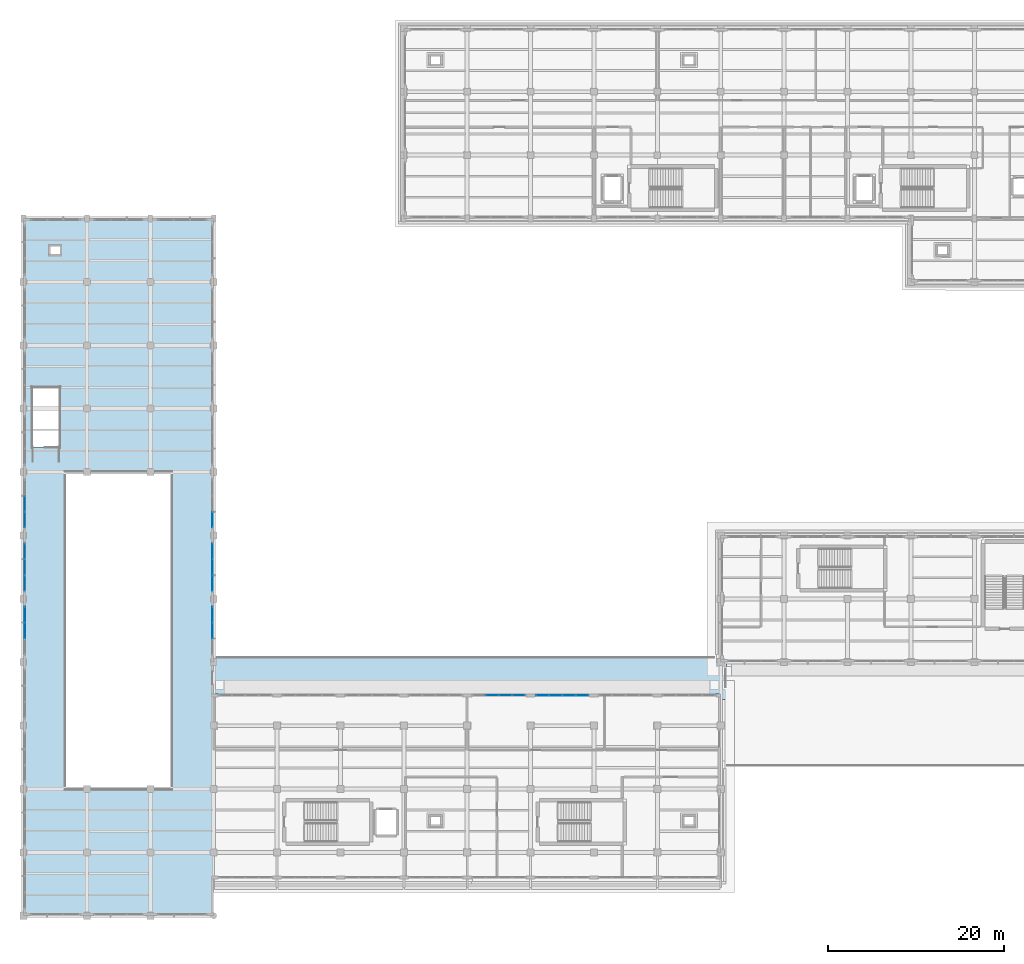
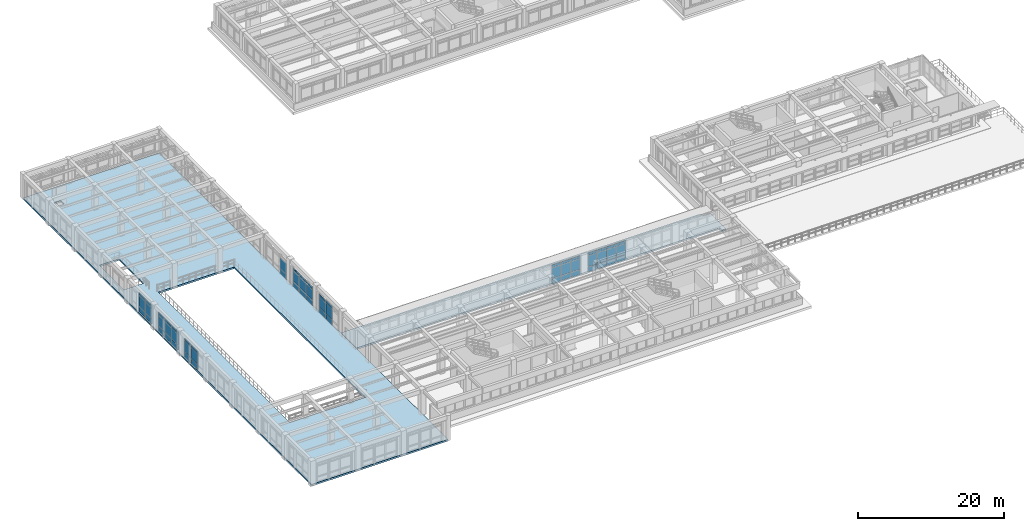
# One storey, part 36 of 67: 59 plates, 2 slabs, 8 elements without a shape of their own.
"""IFC4 building model written with IfcOpenShell, lengths in metres."""

import ifcopenshell
import ifcopenshell.guid

model = None  # the IFC model being written
_history = None  # IfcOwnerHistory: only IFC2X3 demands one
_inside = {}  # id of a spatial element -> (the spatial element, [elements in it])
_under = {}  # id of a project, library or spatial element -> (it, [spatial elements below it])
_declared = {}  # id of a project -> (the project, [libraries it declares])
_typed = {}  # id of a type object -> (the type object, [elements of that type])
_made_of = {}  # id of a material, layer set ... -> (it, [elements and type objects made of it])


def new_model(schema):
    """Start an empty IFC model of exactly this schema.

    Asked for "IFC4X3", IfcOpenShell would pick the latest addendum, in which some entities
    have other attributes; the version numbers below select the first issue.
    IFC2X3 requires an IfcOwnerHistory on every rooted entity: one is made here for all.
    """
    global model, _history
    if schema == "IFC4X3":
        model = ifcopenshell.file(schema_version=(4, 3, 0, 0))
    else:
        model = ifcopenshell.file(schema=schema)
    _inside.clear()
    _under.clear()
    _declared.clear()
    _typed.clear()
    _made_of.clear()
    _history = None
    if model.schema == "IFC2X3":
        org = make("IfcOrganization", Name="unknown")
        user = make(
            "IfcPersonAndOrganization",
            ThePerson=make("IfcPerson", FamilyName="unknown"),
            TheOrganization=org,
        )
        app = make(
            "IfcApplication",
            ApplicationDeveloper=org,
            Version="unknown",
            ApplicationFullName="unknown",
            ApplicationIdentifier="unknown",
        )
        _history = make(
            "IfcOwnerHistory",
            OwningUser=user,
            OwningApplication=app,
            ChangeAction="ADDED",
            CreationDate=0,
        )
    return model


def make(cls, **values):
    """One entity of the class cls with the attributes given. An attribute that is None is left unset."""
    return model.create_entity(
        cls, **{name: value for name, value in values.items() if value is not None}
    )


def rooted(cls, **values):
    """An entity with a GlobalId (a new one), such as an element, a storey or a relation."""
    return make(cls, GlobalId=ifcopenshell.guid.new(), OwnerHistory=_history, **values)


def si_unit(unit_type, name, prefix=None):
    """IfcSIUnit, for example si_unit("LENGTHUNIT", "METRE", prefix="MILLI")."""
    return make("IfcSIUnit", UnitType=unit_type, Prefix=prefix, Name=name)


def assignment(units):
    """IfcUnitAssignment: the units of a project."""
    return None if units is None else make("IfcUnitAssignment", Units=units)


def point(xyz):
    """IfcCartesianPoint."""
    return None if xyz is None else make("IfcCartesianPoint", Coordinates=xyz)


def direction(xyz):
    """IfcDirection."""
    return None if xyz is None else make("IfcDirection", DirectionRatios=xyz)


def frame(location, z_axis=None, x_axis=None):
    """IfcAxis2Placement3D, a coordinate frame: its origin and axes. An axis left out is left unset."""
    return make(
        "IfcAxis2Placement3D",
        Location=point(location),
        Axis=direction(z_axis),
        RefDirection=direction(x_axis),
    )


def frame_2d(location, x_axis=None):
    """IfcAxis2Placement2D, a coordinate frame in the plane: its origin and x axis."""
    return make(
        "IfcAxis2Placement2D", Location=point(location), RefDirection=direction(x_axis)
    )


def origin():
    """The frame at (0, 0, 0) with its axes left unset."""
    return frame((0.0, 0.0, 0.0))


def origin_2d():
    """The frame at (0, 0) in the plane with its x axis left unset."""
    return frame_2d((0.0, 0.0))


def place(relative_to, where):
    """IfcLocalPlacement: puts the frame where relative to a parent placement (None: the world)."""
    return make(
        "IfcLocalPlacement", PlacementRelTo=relative_to, RelativePlacement=where
    )


def context(
    kind, dimensions, precision=None, world=None, true_north=None, identifier=None
):
    """IfcGeometricRepresentationContext, for example the 3D "Model" context."""
    return make(
        "IfcGeometricRepresentationContext",
        ContextIdentifier=identifier,
        ContextType=kind,
        CoordinateSpaceDimension=dimensions,
        Precision=precision,
        WorldCoordinateSystem=world,
        TrueNorth=true_north,
    )


def subcontext(parent, identifier, kind, view, scale=None):
    """IfcGeometricRepresentationSubContext, for example "Body" below "Model"."""
    return make(
        "IfcGeometricRepresentationSubContext",
        ContextIdentifier=identifier,
        ContextType=kind,
        ParentContext=parent,
        TargetScale=scale,
        TargetView=view,
    )


def project(units=None, contexts=None):
    """IfcProject with its units and contexts."""
    return rooted(
        "IfcProject",
        Name="project",
        RepresentationContexts=contexts,
        UnitsInContext=assignment(units),
    )


def spatial(cls, under=None, at=None, **own):
    """A site, building, storey or space (cls), placed at a placement, below another one or the project."""
    s = rooted(cls, ObjectPlacement=at, **own)
    if under is not None:
        _under.setdefault(under.id(), (under, []))[1].append(s)
    return s


def polyline(points):
    """IfcPolyline through the points."""
    return make("IfcPolyline", Points=[point(p) for p in points])


def profile(cls, at=None, kind="AREA", **sizes):
    """A parametric profile (cls). Its sizes go by their IFC names, for example OverallWidth=200.0."""
    return make(cls, ProfileType=kind, Position=at, **sizes)


def rectangle(**sizes):
    """IfcRectangleProfileDef."""
    return profile("IfcRectangleProfileDef", **sizes)


def outline(outer, holes=None, kind="AREA"):
    """IfcArbitraryClosedProfileDef: a profile drawn as a closed curve; with holes, ...WithVoids."""
    if holes is None:
        return make("IfcArbitraryClosedProfileDef", ProfileType=kind, OuterCurve=outer)
    return make(
        "IfcArbitraryProfileDefWithVoids",
        ProfileType=kind,
        OuterCurve=outer,
        InnerCurves=holes,
    )


def extrude(swept, where, along, depth):
    """IfcExtrudedAreaSolid: the profile swept, set in the frame where, extruded along a direction by depth."""
    return make(
        "IfcExtrudedAreaSolid",
        SweptArea=swept,
        Position=where,
        ExtrudedDirection=direction(along),
        Depth=depth,
    )


def shape(context_of_items, identifier, shape_type, items):
    """IfcShapeRepresentation: the items that make up one representation, for example the "Body"."""
    return make(
        "IfcShapeRepresentation",
        ContextOfItems=context_of_items,
        RepresentationIdentifier=identifier,
        RepresentationType=shape_type,
        Items=items,
    )


def material(Name=None, Category=None):
    """IfcMaterial."""
    return make("IfcMaterial", Name=Name, Category=Category)


def layer(
    of_material, thickness, ventilated=None, Name=None, Category=None, Priority=None
):
    """IfcMaterialLayer: one layer of a wall or slab, of a material (None: an air gap)."""
    return make(
        "IfcMaterialLayer",
        Material=of_material,
        LayerThickness=thickness,
        IsVentilated=ventilated,
        Name=Name,
        Category=Category,
        Priority=Priority,
    )


def layer_set(layers, Name=None):
    """IfcMaterialLayerSet."""
    return make("IfcMaterialLayerSet", MaterialLayers=layers, LayerSetName=Name)


def made_of(thing, what):
    """Note that an element or type object is made of a material, layer set ...; save() writes the relation."""
    if what is not None:
        _made_of.setdefault(what.id(), (what, []))[1].append(thing)
    return thing


def type_object(cls, material=None, **own):
    """A type object (cls), such as IfcWallType, which elements share."""
    return made_of(rooted(cls, **own), material)


def element(
    cls,
    number,
    at=None,
    inside=None,
    cuts=None,
    type_object=None,
    material=None,
    context=None,
    identifier="Body",
    shape_type=None,
    held_by="IfcProductDefinitionShape",
    body=None,
    shapes=None,
    **own,
):
    """One element of the class cls, such as IfcWall. Its Tag is "e" and its number.

    at: its placement. inside: the storey or other place that contains it. cuts: it is an
    opening in that element (IfcRelVoidsElement). A single representation is given by context,
    identifier, shape_type and body (its items); several are given by shapes. held_by: the class
    of the entity that holds the representations. save() writes the other relations.
    """
    e = rooted(cls, Tag="e%d" % number, ObjectPlacement=at, **own)
    if body is not None:
        shapes = [shape(context, identifier, shape_type, body)]
    if shapes is not None:
        e.Representation = make(held_by, Representations=shapes)
    if inside is not None:
        _inside.setdefault(inside.id(), (inside, []))[1].append(e)
    if cuts is not None:
        rooted(
            "IfcRelVoidsElement", RelatingBuildingElement=cuts, RelatedOpeningElement=e
        )
    if type_object is not None:
        _typed.setdefault(type_object.id(), (type_object, []))[1].append(e)
    return made_of(e, material)


def aggregate(whole, parts):
    """IfcRelAggregates: a whole, such as a stair, and the parts it consists of."""
    return rooted("IfcRelAggregates", RelatingObject=whole, RelatedObjects=parts)


def save(model, path):
    """Write the relations noted so far, then the file.

    IfcRelAggregates (storeys below a building ...), IfcRelContainedInSpatialStructure (elements
    in a storey), IfcRelDefinesByType, IfcRelAssociatesMaterial and IfcRelDeclares: one each for
    every whole, place, type object, material and project.
    """
    for whole, parts in _under.values():
        aggregate(whole, parts)
    for where, things in _inside.values():
        rooted(
            "IfcRelContainedInSpatialStructure",
            RelatedElements=things,
            RelatingStructure=where,
        )
    for kind, things in _typed.values():
        rooted("IfcRelDefinesByType", RelatedObjects=things, RelatingType=kind)
    for what, things in _made_of.values():
        rooted("IfcRelAssociatesMaterial", RelatedObjects=things, RelatingMaterial=what)
    for by, libraries in _declared.values():
        rooted("IfcRelDeclares", RelatingContext=by, RelatedDefinitions=libraries)
    model.write(path)


model = new_model("IFC4")

# Units and contexts
model_context = context("Model", 3, precision=1e-05, world=origin(), true_north=direction((0.0, 1.0)))
body_context = subcontext(model_context, "Body", "Model", "MODEL_VIEW")
ifc_project = project(units=[si_unit("LENGTHUNIT", "METRE"), si_unit("AREAUNIT", "SQUARE_METRE"), si_unit("VOLUMEUNIT", "CUBIC_METRE"), si_unit("PLANEANGLEUNIT", "RADIAN"), si_unit("MASSUNIT", "GRAM", prefix="KILO")], contexts=[model_context])

# Site, building, storey
site_placement = place(None, origin())
site = spatial("IfcSite", under=ifc_project, at=site_placement, CompositionType="ELEMENT")
building_placement = place(site_placement, origin())
building = spatial("IfcBuilding", under=site, at=building_placement, Name="Solenvale Faculty of Natural Sciences", CompositionType="ELEMENT")
storey_placement = place(building_placement, frame((0.0, 0.0, 13.5)))
storey = spatial("IfcBuildingStorey", under=building, at=storey_placement, Name="L03", CompositionType="ELEMENT", Elevation=13.5)

# Curtain wall, plates
ifc_material_1 = material(Name="Anodised bronze aluminium", Category="aluminium")
ifc_layer_1 = layer(ifc_material_1, 0.215087890625)
ifc_layer_set_1 = layer_set([ifc_layer_1], Name="Anodised bronze aluminium")
curtain_wall_type_1 = type_object("IfcCurtainWallType", Name="CW-ATR-UNIT", PredefinedType="USERDEFINED", material=ifc_layer_set_1)
curtain_wall_1_placement = place(storey_placement, origin())
curtain_wall_1 = element("IfcCurtainWall", 1, at=curtain_wall_1_placement, inside=storey, type_object=curtain_wall_type_1, Name="L03 Curtain Wall CW-L03-P1-E1-B3", ObjectType="UNITISED CURTAIN WALL", PredefinedType="USERDEFINED")
ifc_material_2 = material(Name="North-light skylight glass", Category="glass")
ifc_layer_2 = layer(ifc_material_2, 0.028076171875)
ifc_layer_set_2 = layer_set([ifc_layer_2], Name="North-light skylight glass")
plate_type_1 = type_object("IfcPlateType", Name="CWP-PNL-28", PredefinedType="CURTAIN_PANEL", material=ifc_layer_set_2)
plate_1_placement = place(storey_placement, frame((57.45751953125, 52.185302734375, 0.074951171875), z_axis=(0.0, 0.0, 1.0), x_axis=(0.0, 1.0, 0.0)))
plate_1 = element("IfcPlate", 2, at=plate_1_placement, type_object=plate_type_1, Name="CW-01 panel 1.1", PredefinedType="CURTAIN_PANEL", context=body_context, shape_type="SweptSolid", body=[
    extrude(rectangle(XDim=1.720947265625, YDim=0.028076171875, at=origin_2d()), origin(), (0.0, 0.0, 1.0), 0.78759765625),
])
plate_2_placement = place(storey_placement, frame((57.45751953125, 52.185302734375, 0.9375), z_axis=(0.0, 0.0, 1.0), x_axis=(0.0, 1.0, 0.0)))
plate_2 = element("IfcPlate", 3, at=plate_2_placement, type_object=plate_type_1, Name="CW-01 panel 1.2", PredefinedType="CURTAIN_PANEL", context=body_context, shape_type="SweptSolid", body=[
    extrude(rectangle(XDim=1.720947265625, YDim=0.028076171875, at=origin_2d()), origin(), (0.0, 0.0, 1.0), 1.784912109375),
])
plate_3_placement = place(storey_placement, frame((57.45751953125, 52.185302734375, 2.79736328125), z_axis=(0.0, 0.0, 1.0), x_axis=(0.0, 1.0, 0.0)))
plate_3 = element("IfcPlate", 4, at=plate_3_placement, type_object=plate_type_1, Name="CW-01 panel 1.3", PredefinedType="CURTAIN_PANEL", context=body_context, shape_type="SweptSolid", body=[
    extrude(rectangle(XDim=1.720947265625, YDim=0.028076171875, at=origin_2d()), origin(), (0.0, 0.0, 1.0), 0.387451171875),
])
plate_4_placement = place(storey_placement, frame((57.45751953125, 54.0, 0.074951171875), z_axis=(0.0, 0.0, 1.0), x_axis=(0.0, 1.0, 0.0)))
plate_4 = element("IfcPlate", 5, at=plate_4_placement, type_object=plate_type_1, Name="CW-01 panel 2.1", PredefinedType="CURTAIN_PANEL", context=body_context, shape_type="SweptSolid", body=[
    extrude(rectangle(XDim=1.75830078125, YDim=0.028076171875, at=origin_2d()), origin(), (0.0, 0.0, 1.0), 0.78759765625),
])
plate_5_placement = place(storey_placement, frame((57.45751953125, 54.0, 0.9375), z_axis=(0.0, 0.0, 1.0), x_axis=(0.0, 1.0, 0.0)))
plate_5 = element("IfcPlate", 6, at=plate_5_placement, type_object=plate_type_1, Name="CW-01 panel 2.2", PredefinedType="CURTAIN_PANEL", context=body_context, shape_type="SweptSolid", body=[
    extrude(rectangle(XDim=1.75830078125, YDim=0.028076171875, at=origin_2d()), origin(), (0.0, 0.0, 1.0), 1.784912109375),
])
plate_6_placement = place(storey_placement, frame((57.45751953125, 54.0, 2.79736328125), z_axis=(0.0, 0.0, 1.0), x_axis=(0.0, 1.0, 0.0)))
plate_6 = element("IfcPlate", 7, at=plate_6_placement, type_object=plate_type_1, Name="CW-01 panel 2.3", PredefinedType="CURTAIN_PANEL", context=body_context, shape_type="SweptSolid", body=[
    extrude(rectangle(XDim=1.75830078125, YDim=0.028076171875, at=origin_2d()), origin(), (0.0, 0.0, 1.0), 0.387451171875),
])
plate_7_placement = place(storey_placement, frame((57.45751953125, 55.814697265625, 0.074951171875), z_axis=(0.0, 0.0, 1.0), x_axis=(0.0, 1.0, 0.0)))
plate_7 = element("IfcPlate", 8, at=plate_7_placement, type_object=plate_type_1, Name="CW-01 panel 3.1", PredefinedType="CURTAIN_PANEL", context=body_context, shape_type="SweptSolid", body=[
    extrude(rectangle(XDim=1.720947265625, YDim=0.028076171875, at=origin_2d()), origin(), (0.0, 0.0, 1.0), 0.78759765625),
])
plate_8_placement = place(storey_placement, frame((57.45751953125, 55.814697265625, 0.9375), z_axis=(0.0, 0.0, 1.0), x_axis=(0.0, 1.0, 0.0)))
plate_8 = element("IfcPlate", 9, at=plate_8_placement, type_object=plate_type_1, Name="CW-01 panel 3.2", PredefinedType="CURTAIN_PANEL", context=body_context, shape_type="SweptSolid", body=[
    extrude(rectangle(XDim=1.720947265625, YDim=0.028076171875, at=origin_2d()), origin(), (0.0, 0.0, 1.0), 1.784912109375),
])
plate_9_placement = place(storey_placement, frame((57.45751953125, 55.814697265625, 2.79736328125), z_axis=(0.0, 0.0, 1.0), x_axis=(0.0, 1.0, 0.0)))
plate_9 = element("IfcPlate", 10, at=plate_9_placement, type_object=plate_type_1, Name="CW-01 panel 3.3", PredefinedType="CURTAIN_PANEL", context=body_context, shape_type="SweptSolid", body=[
    extrude(rectangle(XDim=1.720947265625, YDim=0.028076171875, at=origin_2d()), origin(), (0.0, 0.0, 1.0), 0.387451171875),
])
aggregate(curtain_wall_1, [plate_1, plate_2, plate_3, plate_4, plate_5, plate_6, plate_7, plate_8, plate_9])

ifc_layer_3 = layer(ifc_material_1, 0.18994140625)
ifc_layer_set_3 = layer_set([ifc_layer_3], Name="Anodised bronze aluminium")
curtain_wall_type_2 = type_object("IfcCurtainWallType", Name="CW-TRAY-REC", PredefinedType="USERDEFINED", material=ifc_layer_set_3)
curtain_wall_2_placement = place(storey_placement, origin())
curtain_wall_2 = element("IfcCurtainWall", 11, at=curtain_wall_2_placement, inside=storey, type_object=curtain_wall_type_2, Name="L03 Curtain Wall CW-L03-P1-E8-B4", ObjectType="UNITISED CURTAIN WALL", PredefinedType="USERDEFINED")
plate_10_placement = place(storey_placement, frame((92.246337890625, 39.4375, 0.074951171875), z_axis=(0.0, 0.0, 1.0), x_axis=(-1.0, 0.0, 0.0)))
plate_10 = element("IfcPlate", 12, at=plate_10_placement, type_object=plate_type_1, Name="CW-02 panel 1.1", PredefinedType="CURTAIN_PANEL", context=body_context, shape_type="SweptSolid", body=[
    extrude(rectangle(XDim=1.3974609375, YDim=0.028076171875, at=origin_2d()), origin(), (0.0, 0.0, 1.0), 0.78759765625),
])
plate_11_placement = place(storey_placement, frame((92.246337890625, 39.4375, 0.9375), z_axis=(0.0, 0.0, 1.0), x_axis=(-1.0, 0.0, 0.0)))
plate_11 = element("IfcPlate", 13, at=plate_11_placement, type_object=plate_type_1, Name="CW-02 panel 1.2", PredefinedType="CURTAIN_PANEL", context=body_context, shape_type="SweptSolid", body=[
    extrude(rectangle(XDim=1.3974609375, YDim=0.028076171875, at=origin_2d()), origin(), (0.0, 0.0, 1.0), 1.784912109375),
])
plate_12_placement = place(storey_placement, frame((92.246337890625, 39.4375, 2.79736328125), z_axis=(0.0, 0.0, 1.0), x_axis=(-1.0, 0.0, 0.0)))
plate_12 = element("IfcPlate", 14, at=plate_12_placement, type_object=plate_type_1, Name="CW-02 panel 1.3", PredefinedType="CURTAIN_PANEL", context=body_context, shape_type="SweptSolid", body=[
    extrude(rectangle(XDim=1.3974609375, YDim=0.028076171875, at=origin_2d()), origin(), (0.0, 0.0, 1.0), 0.387451171875),
])
plate_13_placement = place(storey_placement, frame((90.7548828125, 39.4375, 0.074951171875), z_axis=(0.0, 0.0, 1.0), x_axis=(-1.0, 0.0, 0.0)))
plate_13 = element("IfcPlate", 15, at=plate_13_placement, type_object=plate_type_1, Name="CW-02 panel 2.1", PredefinedType="CURTAIN_PANEL", context=body_context, shape_type="SweptSolid", body=[
    extrude(rectangle(XDim=1.43505859375, YDim=0.028076171875, at=origin_2d()), origin(), (0.0, 0.0, 1.0), 0.78759765625),
])
plate_14_placement = place(storey_placement, frame((90.7548828125, 39.4375, 0.9375), z_axis=(0.0, 0.0, 1.0), x_axis=(-1.0, 0.0, 0.0)))
plate_14 = element("IfcPlate", 16, at=plate_14_placement, type_object=plate_type_1, Name="CW-02 panel 2.2", PredefinedType="CURTAIN_PANEL", context=body_context, shape_type="SweptSolid", body=[
    extrude(rectangle(XDim=1.43505859375, YDim=0.028076171875, at=origin_2d()), origin(), (0.0, 0.0, 1.0), 1.784912109375),
])
plate_15_placement = place(storey_placement, frame((90.7548828125, 39.4375, 2.79736328125), z_axis=(0.0, 0.0, 1.0), x_axis=(-1.0, 0.0, 0.0)))
plate_15 = element("IfcPlate", 17, at=plate_15_placement, type_object=plate_type_1, Name="CW-02 panel 2.3", PredefinedType="CURTAIN_PANEL", context=body_context, shape_type="SweptSolid", body=[
    extrude(rectangle(XDim=1.43505859375, YDim=0.028076171875, at=origin_2d()), origin(), (0.0, 0.0, 1.0), 0.387451171875),
])
plate_16_placement = place(storey_placement, frame((89.2451171875, 39.4375, 0.074951171875), z_axis=(0.0, 0.0, 1.0), x_axis=(-1.0, 0.0, 0.0)))
plate_16 = element("IfcPlate", 18, at=plate_16_placement, type_object=plate_type_1, Name="CW-02 panel 3.1", PredefinedType="CURTAIN_PANEL", context=body_context, shape_type="SweptSolid", body=[
    extrude(rectangle(XDim=1.43505859375, YDim=0.028076171875, at=origin_2d()), origin(), (0.0, 0.0, 1.0), 0.78759765625),
])
plate_17_placement = place(storey_placement, frame((89.2451171875, 39.4375, 0.9375), z_axis=(0.0, 0.0, 1.0), x_axis=(-1.0, 0.0, 0.0)))
plate_17 = element("IfcPlate", 19, at=plate_17_placement, type_object=plate_type_1, Name="CW-02 panel 3.2", PredefinedType="CURTAIN_PANEL", context=body_context, shape_type="SweptSolid", body=[
    extrude(rectangle(XDim=1.43505859375, YDim=0.028076171875, at=origin_2d()), origin(), (0.0, 0.0, 1.0), 1.784912109375),
])
plate_18_placement = place(storey_placement, frame((89.2451171875, 39.4375, 2.79736328125), z_axis=(0.0, 0.0, 1.0), x_axis=(-1.0, 0.0, 0.0)))
plate_18 = element("IfcPlate", 20, at=plate_18_placement, type_object=plate_type_1, Name="CW-02 panel 3.3", PredefinedType="CURTAIN_PANEL", context=body_context, shape_type="SweptSolid", body=[
    extrude(rectangle(XDim=1.43505859375, YDim=0.028076171875, at=origin_2d()), origin(), (0.0, 0.0, 1.0), 0.387451171875),
])
aggregate(curtain_wall_2, [plate_10, plate_11, plate_12, plate_13, plate_14, plate_15, plate_16, plate_17, plate_18])

curtain_wall_3_placement = place(storey_placement, origin())
curtain_wall_3 = element("IfcCurtainWall", 21, at=curtain_wall_3_placement, inside=storey, type_object=curtain_wall_type_1, Name="L03 Curtain Wall CW-L03-P1-E1-B4", ObjectType="UNITISED CURTAIN WALL", PredefinedType="USERDEFINED")
ifc_material_3 = material(Name="Triple low-E insulated glass", Category="glass")
ifc_layer_4 = layer(ifc_material_3, 0.031982421875)
ifc_layer_set_4 = layer_set([ifc_layer_4], Name="Triple low-E insulated glass")
plate_type_2 = type_object("IfcPlateType", Name="CWP-PNL-32", PredefinedType="CURTAIN_PANEL", material=ifc_layer_set_4)
plate_19_placement = place(storey_placement, frame((57.45751953125, 59.385498046875, 0.074951171875), z_axis=(0.0, 0.0, 1.0), x_axis=(0.0, 1.0, 0.0)))
plate_19 = element("IfcPlate", 22, at=plate_19_placement, type_object=plate_type_2, Name="CW-01 panel 1.1", PredefinedType="CURTAIN_PANEL", context=body_context, shape_type="SweptSolid", body=[
    extrude(rectangle(XDim=1.720947265625, YDim=0.031982421875, at=origin_2d()), origin(), (0.0, 0.0, 1.0), 0.78759765625),
])
plate_20_placement = place(storey_placement, frame((57.45751953125, 59.385498046875, 0.9375), z_axis=(0.0, 0.0, 1.0), x_axis=(0.0, 1.0, 0.0)))
plate_20 = element("IfcPlate", 23, at=plate_20_placement, type_object=plate_type_2, Name="CW-01 panel 1.2", PredefinedType="CURTAIN_PANEL", context=body_context, shape_type="SweptSolid", body=[
    extrude(rectangle(XDim=1.720947265625, YDim=0.031982421875, at=origin_2d()), origin(), (0.0, 0.0, 1.0), 1.784912109375),
])
aggregate(curtain_wall_3, [plate_19, plate_20])

curtain_wall_4_placement = place(storey_placement, origin())
curtain_wall_4 = element("IfcCurtainWall", 24, at=curtain_wall_4_placement, inside=storey, type_object=curtain_wall_type_1, Name="L03 Curtain Wall CW-L03-P1-E3-B5", ObjectType="UNITISED CURTAIN WALL", PredefinedType="USERDEFINED")
ifc_layer_5 = layer(ifc_material_3, 0.0439453125)
ifc_layer_set_5 = layer_set([ifc_layer_5], Name="Triple low-E insulated glass")
plate_type_3 = type_object("IfcPlateType", Name="CWP-PNL-44", PredefinedType="CURTAIN_PANEL", material=ifc_layer_set_5)
plate_21_placement = place(storey_placement, frame((36.142578125, 61.199951171875, 0.074951171875), z_axis=(0.0, 0.0, 1.0), x_axis=(0.0, -1.0, 0.0)))
plate_21 = element("IfcPlate", 25, at=plate_21_placement, type_object=plate_type_3, Name="CW-01 panel 2.1", PredefinedType="CURTAIN_PANEL", context=body_context, shape_type="SweptSolid", body=[
    extrude(rectangle(XDim=1.75830078125, YDim=0.0439453125, at=origin_2d()), origin(), (0.0, 0.0, 1.0), 0.78759765625),
])
plate_22_placement = place(storey_placement, frame((36.142578125, 61.199951171875, 0.9375), z_axis=(0.0, 0.0, 1.0), x_axis=(0.0, -1.0, 0.0)))
plate_22 = element("IfcPlate", 26, at=plate_22_placement, type_object=plate_type_3, Name="CW-01 panel 2.2", PredefinedType="CURTAIN_PANEL", context=body_context, shape_type="SweptSolid", body=[
    extrude(rectangle(XDim=1.75830078125, YDim=0.0439453125, at=origin_2d()), origin(), (0.0, 0.0, 1.0), 1.784912109375),
])
plate_23_placement = place(storey_placement, frame((36.142578125, 61.199951171875, 2.79736328125), z_axis=(0.0, 0.0, 1.0), x_axis=(0.0, -1.0, 0.0)))
plate_23 = element("IfcPlate", 27, at=plate_23_placement, type_object=plate_type_3, Name="CW-01 panel 2.3", PredefinedType="CURTAIN_PANEL", context=body_context, shape_type="SweptSolid", body=[
    extrude(rectangle(XDim=1.75830078125, YDim=0.0439453125, at=origin_2d()), origin(), (0.0, 0.0, 1.0), 0.387451171875),
])
plate_24_placement = place(storey_placement, frame((36.142578125, 59.385498046875, 0.074951171875), z_axis=(0.0, 0.0, 1.0), x_axis=(0.0, -1.0, 0.0)))
plate_24 = element("IfcPlate", 28, at=plate_24_placement, type_object=plate_type_3, Name="CW-01 panel 3.1", PredefinedType="CURTAIN_PANEL", context=body_context, shape_type="SweptSolid", body=[
    extrude(rectangle(XDim=1.720947265625, YDim=0.0439453125, at=origin_2d()), origin(), (0.0, 0.0, 1.0), 0.78759765625),
])
plate_25_placement = place(storey_placement, frame((36.142578125, 59.385498046875, 0.9375), z_axis=(0.0, 0.0, 1.0), x_axis=(0.0, -1.0, 0.0)))
plate_25 = element("IfcPlate", 29, at=plate_25_placement, type_object=plate_type_3, Name="CW-01 panel 3.2", PredefinedType="CURTAIN_PANEL", context=body_context, shape_type="SweptSolid", body=[
    extrude(rectangle(XDim=1.720947265625, YDim=0.0439453125, at=origin_2d()), origin(), (0.0, 0.0, 1.0), 1.784912109375),
])
plate_26_placement = place(storey_placement, frame((36.142578125, 59.385498046875, 2.79736328125), z_axis=(0.0, 0.0, 1.0), x_axis=(0.0, -1.0, 0.0)))
plate_26 = element("IfcPlate", 30, at=plate_26_placement, type_object=plate_type_3, Name="CW-01 panel 3.3", PredefinedType="CURTAIN_PANEL", context=body_context, shape_type="SweptSolid", body=[
    extrude(rectangle(XDim=1.720947265625, YDim=0.0439453125, at=origin_2d()), origin(), (0.0, 0.0, 1.0), 0.387451171875),
])
aggregate(curtain_wall_4, [plate_21, plate_22, plate_23, plate_24, plate_25, plate_26])

curtain_wall_5_placement = place(storey_placement, origin())
curtain_wall_5 = element("IfcCurtainWall", 31, at=curtain_wall_5_placement, inside=storey, type_object=curtain_wall_type_1, Name="L03 Curtain Wall CW-L03-P1-E3-B6", ObjectType="UNITISED CURTAIN WALL", PredefinedType="USERDEFINED")
ifc_layer_6 = layer(ifc_material_1, 0.048095703125)
ifc_layer_set_6 = layer_set([ifc_layer_6], Name="Anodised bronze aluminium")
plate_type_4 = type_object("IfcPlateType", Name="CWP-PNL-48", PredefinedType="CURTAIN_PANEL", material=ifc_layer_set_6)
plate_27_placement = place(storey_placement, frame((36.142578125, 55.814697265625, 0.074951171875), z_axis=(0.0, 0.0, 1.0), x_axis=(0.0, -1.0, 0.0)))
plate_27 = element("IfcPlate", 32, at=plate_27_placement, type_object=plate_type_4, Name="CW-01 panel 1.1", PredefinedType="CURTAIN_PANEL", context=body_context, shape_type="SweptSolid", body=[
    extrude(rectangle(XDim=1.720947265625, YDim=0.048095703125, at=origin_2d()), origin(), (0.0, 0.0, 1.0), 0.78759765625),
])
plate_28_placement = place(storey_placement, frame((36.142578125, 55.814697265625, 0.9375), z_axis=(0.0, 0.0, 1.0), x_axis=(0.0, -1.0, 0.0)))
plate_28 = element("IfcPlate", 33, at=plate_28_placement, type_object=plate_type_4, Name="CW-01 panel 1.2", PredefinedType="CURTAIN_PANEL", context=body_context, shape_type="SweptSolid", body=[
    extrude(rectangle(XDim=1.720947265625, YDim=0.048095703125, at=origin_2d()), origin(), (0.0, 0.0, 1.0), 1.784912109375),
])
plate_29_placement = place(storey_placement, frame((36.142578125, 55.814697265625, 2.79736328125), z_axis=(0.0, 0.0, 1.0), x_axis=(0.0, -1.0, 0.0)))
plate_29 = element("IfcPlate", 34, at=plate_29_placement, type_object=plate_type_4, Name="CW-01 panel 1.3", PredefinedType="CURTAIN_PANEL", context=body_context, shape_type="SweptSolid", body=[
    extrude(rectangle(XDim=1.720947265625, YDim=0.048095703125, at=origin_2d()), origin(), (0.0, 0.0, 1.0), 0.387451171875),
])
plate_30_placement = place(storey_placement, frame((36.142578125, 54.0, 0.074951171875), z_axis=(0.0, 0.0, 1.0), x_axis=(0.0, -1.0, 0.0)))
plate_30 = element("IfcPlate", 35, at=plate_30_placement, type_object=plate_type_4, Name="CW-01 panel 2.1", PredefinedType="CURTAIN_PANEL", context=body_context, shape_type="SweptSolid", body=[
    extrude(rectangle(XDim=1.75830078125, YDim=0.048095703125, at=origin_2d()), origin(), (0.0, 0.0, 1.0), 0.78759765625),
])
plate_31_placement = place(storey_placement, frame((36.142578125, 54.0, 0.9375), z_axis=(0.0, 0.0, 1.0), x_axis=(0.0, -1.0, 0.0)))
plate_31 = element("IfcPlate", 36, at=plate_31_placement, type_object=plate_type_4, Name="CW-01 panel 2.2", PredefinedType="CURTAIN_PANEL", context=body_context, shape_type="SweptSolid", body=[
    extrude(rectangle(XDim=1.75830078125, YDim=0.048095703125, at=origin_2d()), origin(), (0.0, 0.0, 1.0), 1.784912109375),
])
plate_32_placement = place(storey_placement, frame((36.142578125, 54.0, 2.79736328125), z_axis=(0.0, 0.0, 1.0), x_axis=(0.0, -1.0, 0.0)))
plate_32 = element("IfcPlate", 37, at=plate_32_placement, type_object=plate_type_4, Name="CW-01 panel 2.3", PredefinedType="CURTAIN_PANEL", context=body_context, shape_type="SweptSolid", body=[
    extrude(rectangle(XDim=1.75830078125, YDim=0.048095703125, at=origin_2d()), origin(), (0.0, 0.0, 1.0), 0.387451171875),
])
plate_33_placement = place(storey_placement, frame((36.142578125, 52.185302734375, 0.074951171875), z_axis=(0.0, 0.0, 1.0), x_axis=(0.0, -1.0, 0.0)))
plate_33 = element("IfcPlate", 38, at=plate_33_placement, type_object=plate_type_4, Name="CW-01 panel 3.1", PredefinedType="CURTAIN_PANEL", context=body_context, shape_type="SweptSolid", body=[
    extrude(rectangle(XDim=1.720947265625, YDim=0.048095703125, at=origin_2d()), origin(), (0.0, 0.0, 1.0), 0.78759765625),
])
plate_34_placement = place(storey_placement, frame((36.142578125, 52.185302734375, 0.9375), z_axis=(0.0, 0.0, 1.0), x_axis=(0.0, -1.0, 0.0)))
plate_34 = element("IfcPlate", 39, at=plate_34_placement, type_object=plate_type_4, Name="CW-01 panel 3.2", PredefinedType="CURTAIN_PANEL", context=body_context, shape_type="SweptSolid", body=[
    extrude(rectangle(XDim=1.720947265625, YDim=0.048095703125, at=origin_2d()), origin(), (0.0, 0.0, 1.0), 1.784912109375),
])
plate_35_placement = place(storey_placement, frame((36.142578125, 52.185302734375, 2.79736328125), z_axis=(0.0, 0.0, 1.0), x_axis=(0.0, -1.0, 0.0)))
plate_35 = element("IfcPlate", 40, at=plate_35_placement, type_object=plate_type_4, Name="CW-01 panel 3.3", PredefinedType="CURTAIN_PANEL", context=body_context, shape_type="SweptSolid", body=[
    extrude(rectangle(XDim=1.720947265625, YDim=0.048095703125, at=origin_2d()), origin(), (0.0, 0.0, 1.0), 0.387451171875),
])
aggregate(curtain_wall_5, [plate_27, plate_28, plate_29, plate_30, plate_31, plate_32, plate_33, plate_34, plate_35])

curtain_wall_6_placement = place(storey_placement, origin())
curtain_wall_6 = element("IfcCurtainWall", 41, at=curtain_wall_6_placement, inside=storey, type_object=curtain_wall_type_1, Name="L03 Curtain Wall CW-L03-P1-E3-B7", ObjectType="UNITISED CURTAIN WALL", PredefinedType="USERDEFINED")
ifc_layer_7 = layer(ifc_material_1, 0.053955078125)
ifc_layer_set_7 = layer_set([ifc_layer_7], Name="Anodised bronze aluminium")
plate_type_5 = type_object("IfcPlateType", Name="CWP-PNL-54", PredefinedType="CURTAIN_PANEL", material=ifc_layer_set_7)
plate_36_placement = place(storey_placement, frame((36.142578125, 48.614501953125, 0.074951171875), z_axis=(0.0, 0.0, 1.0), x_axis=(0.0, -1.0, 0.0)))
plate_36 = element("IfcPlate", 42, at=plate_36_placement, type_object=plate_type_5, Name="CW-01 panel 1.1", PredefinedType="CURTAIN_PANEL", context=body_context, shape_type="SweptSolid", body=[
    extrude(rectangle(XDim=1.720947265625, YDim=0.053955078125, at=origin_2d()), origin(), (0.0, 0.0, 1.0), 0.78759765625),
])
plate_37_placement = place(storey_placement, frame((36.142578125, 48.614501953125, 0.9375), z_axis=(0.0, 0.0, 1.0), x_axis=(0.0, -1.0, 0.0)))
plate_37 = element("IfcPlate", 43, at=plate_37_placement, type_object=plate_type_5, Name="CW-01 panel 1.2", PredefinedType="CURTAIN_PANEL", context=body_context, shape_type="SweptSolid", body=[
    extrude(rectangle(XDim=1.720947265625, YDim=0.053955078125, at=origin_2d()), origin(), (0.0, 0.0, 1.0), 1.784912109375),
])
plate_38_placement = place(storey_placement, frame((36.142578125, 48.614501953125, 2.79736328125), z_axis=(0.0, 0.0, 1.0), x_axis=(0.0, -1.0, 0.0)))
plate_38 = element("IfcPlate", 44, at=plate_38_placement, type_object=plate_type_5, Name="CW-01 panel 1.3", PredefinedType="CURTAIN_PANEL", context=body_context, shape_type="SweptSolid", body=[
    extrude(rectangle(XDim=1.720947265625, YDim=0.053955078125, at=origin_2d()), origin(), (0.0, 0.0, 1.0), 0.387451171875),
])
plate_39_placement = place(storey_placement, frame((36.142578125, 46.800048828125, 0.074951171875), z_axis=(0.0, 0.0, 1.0), x_axis=(0.0, -1.0, 0.0)))
plate_39 = element("IfcPlate", 45, at=plate_39_placement, type_object=plate_type_5, Name="CW-01 panel 2.1", PredefinedType="CURTAIN_PANEL", context=body_context, shape_type="SweptSolid", body=[
    extrude(rectangle(XDim=1.75830078125, YDim=0.053955078125, at=origin_2d()), origin(), (0.0, 0.0, 1.0), 0.78759765625),
])
plate_40_placement = place(storey_placement, frame((36.142578125, 46.800048828125, 0.9375), z_axis=(0.0, 0.0, 1.0), x_axis=(0.0, -1.0, 0.0)))
plate_40 = element("IfcPlate", 46, at=plate_40_placement, type_object=plate_type_5, Name="CW-01 panel 2.2", PredefinedType="CURTAIN_PANEL", context=body_context, shape_type="SweptSolid", body=[
    extrude(rectangle(XDim=1.75830078125, YDim=0.053955078125, at=origin_2d()), origin(), (0.0, 0.0, 1.0), 1.784912109375),
])
plate_41_placement = place(storey_placement, frame((36.142578125, 46.800048828125, 2.79736328125), z_axis=(0.0, 0.0, 1.0), x_axis=(0.0, -1.0, 0.0)))
plate_41 = element("IfcPlate", 47, at=plate_41_placement, type_object=plate_type_5, Name="CW-01 panel 2.3", PredefinedType="CURTAIN_PANEL", context=body_context, shape_type="SweptSolid", body=[
    extrude(rectangle(XDim=1.75830078125, YDim=0.053955078125, at=origin_2d()), origin(), (0.0, 0.0, 1.0), 0.387451171875),
])
aggregate(curtain_wall_6, [plate_36, plate_37, plate_38, plate_39, plate_40, plate_41])

curtain_wall_7_placement = place(storey_placement, origin())
curtain_wall_7 = element("IfcCurtainWall", 48, at=curtain_wall_7_placement, inside=storey, type_object=curtain_wall_type_1, Name="L03 Curtain Wall CW-L03-P1-E1-B2", ObjectType="UNITISED CURTAIN WALL", PredefinedType="USERDEFINED")
ifc_layer_8 = layer(ifc_material_1, 0.06005859375)
ifc_layer_set_8 = layer_set([ifc_layer_8], Name="Anodised bronze aluminium")
plate_type_6 = type_object("IfcPlateType", Name="CWP-PNL-60", PredefinedType="CURTAIN_PANEL", material=ifc_layer_set_8)
plate_42_placement = place(storey_placement, frame((57.45751953125, 46.800048828125, 0.074951171875), z_axis=(0.0, 0.0, 1.0), x_axis=(0.0, 1.0, 0.0)))
plate_42 = element("IfcPlate", 49, at=plate_42_placement, type_object=plate_type_6, Name="CW-01 panel 2.1", PredefinedType="CURTAIN_PANEL", context=body_context, shape_type="SweptSolid", body=[
    extrude(rectangle(XDim=1.75830078125, YDim=0.06005859375, at=origin_2d()), origin(), (0.0, 0.0, 1.0), 0.78759765625),
])
plate_43_placement = place(storey_placement, frame((57.45751953125, 46.800048828125, 0.9375), z_axis=(0.0, 0.0, 1.0), x_axis=(0.0, 1.0, 0.0)))
plate_43 = element("IfcPlate", 50, at=plate_43_placement, type_object=plate_type_6, Name="CW-01 panel 2.2", PredefinedType="CURTAIN_PANEL", context=body_context, shape_type="SweptSolid", body=[
    extrude(rectangle(XDim=1.75830078125, YDim=0.06005859375, at=origin_2d()), origin(), (0.0, 0.0, 1.0), 1.784912109375),
])
plate_44_placement = place(storey_placement, frame((57.45751953125, 46.800048828125, 2.79736328125), z_axis=(0.0, 0.0, 1.0), x_axis=(0.0, 1.0, 0.0)))
plate_44 = element("IfcPlate", 51, at=plate_44_placement, type_object=plate_type_6, Name="CW-01 panel 2.3", PredefinedType="CURTAIN_PANEL", context=body_context, shape_type="SweptSolid", body=[
    extrude(rectangle(XDim=1.75830078125, YDim=0.06005859375, at=origin_2d()), origin(), (0.0, 0.0, 1.0), 0.387451171875),
])
plate_45_placement = place(storey_placement, frame((57.45751953125, 48.614501953125, 0.074951171875), z_axis=(0.0, 0.0, 1.0), x_axis=(0.0, 1.0, 0.0)))
plate_45 = element("IfcPlate", 52, at=plate_45_placement, type_object=plate_type_6, Name="CW-01 panel 3.1", PredefinedType="CURTAIN_PANEL", context=body_context, shape_type="SweptSolid", body=[
    extrude(rectangle(XDim=1.720947265625, YDim=0.06005859375, at=origin_2d()), origin(), (0.0, 0.0, 1.0), 0.78759765625),
])
plate_46_placement = place(storey_placement, frame((57.45751953125, 48.614501953125, 0.9375), z_axis=(0.0, 0.0, 1.0), x_axis=(0.0, 1.0, 0.0)))
plate_46 = element("IfcPlate", 53, at=plate_46_placement, type_object=plate_type_6, Name="CW-01 panel 3.2", PredefinedType="CURTAIN_PANEL", context=body_context, shape_type="SweptSolid", body=[
    extrude(rectangle(XDim=1.720947265625, YDim=0.06005859375, at=origin_2d()), origin(), (0.0, 0.0, 1.0), 1.784912109375),
])
plate_47_placement = place(storey_placement, frame((57.45751953125, 48.614501953125, 2.79736328125), z_axis=(0.0, 0.0, 1.0), x_axis=(0.0, 1.0, 0.0)))
plate_47 = element("IfcPlate", 54, at=plate_47_placement, type_object=plate_type_6, Name="CW-01 panel 3.3", PredefinedType="CURTAIN_PANEL", context=body_context, shape_type="SweptSolid", body=[
    extrude(rectangle(XDim=1.720947265625, YDim=0.06005859375, at=origin_2d()), origin(), (0.0, 0.0, 1.0), 0.387451171875),
])
aggregate(curtain_wall_7, [plate_42, plate_43, plate_44, plate_45, plate_46, plate_47])

curtain_wall_8_placement = place(storey_placement, origin())
curtain_wall_8 = element("IfcCurtainWall", 55, at=curtain_wall_8_placement, inside=storey, type_object=curtain_wall_type_2, Name="L03 Curtain Wall CW-L03-P1-E8-B3", ObjectType="UNITISED CURTAIN WALL", PredefinedType="USERDEFINED")
plate_48_placement = place(storey_placement, frame((99.4462890625, 39.4375, 0.074951171875), z_axis=(0.0, 0.0, 1.0), x_axis=(-1.0, 0.0, 0.0)))
plate_48 = element("IfcPlate", 56, at=plate_48_placement, type_object=plate_type_6, Name="CW-02 panel 1.1", PredefinedType="CURTAIN_PANEL", context=body_context, shape_type="SweptSolid", body=[
    extrude(rectangle(XDim=1.3974609375, YDim=0.06005859375, at=origin_2d()), origin(), (0.0, 0.0, 1.0), 0.78759765625),
])
plate_49_placement = place(storey_placement, frame((99.4462890625, 39.4375, 0.9375), z_axis=(0.0, 0.0, 1.0), x_axis=(-1.0, 0.0, 0.0)))
plate_49 = element("IfcPlate", 57, at=plate_49_placement, type_object=plate_type_6, Name="CW-02 panel 1.2", PredefinedType="CURTAIN_PANEL", context=body_context, shape_type="SweptSolid", body=[
    extrude(rectangle(XDim=1.3974609375, YDim=0.06005859375, at=origin_2d()), origin(), (0.0, 0.0, 1.0), 1.784912109375),
])
plate_50_placement = place(storey_placement, frame((99.4462890625, 39.4375, 2.79736328125), z_axis=(0.0, 0.0, 1.0), x_axis=(-1.0, 0.0, 0.0)))
plate_50 = element("IfcPlate", 58, at=plate_50_placement, type_object=plate_type_6, Name="CW-02 panel 1.3", PredefinedType="CURTAIN_PANEL", context=body_context, shape_type="SweptSolid", body=[
    extrude(rectangle(XDim=1.3974609375, YDim=0.06005859375, at=origin_2d()), origin(), (0.0, 0.0, 1.0), 0.387451171875),
])
plate_51_placement = place(storey_placement, frame((97.955078125, 39.4375, 0.074951171875), z_axis=(0.0, 0.0, 1.0), x_axis=(-1.0, 0.0, 0.0)))
plate_51 = element("IfcPlate", 59, at=plate_51_placement, type_object=plate_type_6, Name="CW-02 panel 2.1", PredefinedType="CURTAIN_PANEL", context=body_context, shape_type="SweptSolid", body=[
    extrude(rectangle(XDim=1.43505859375, YDim=0.06005859375, at=origin_2d()), origin(), (0.0, 0.0, 1.0), 0.78759765625),
])
plate_52_placement = place(storey_placement, frame((97.955078125, 39.4375, 0.9375), z_axis=(0.0, 0.0, 1.0), x_axis=(-1.0, 0.0, 0.0)))
plate_52 = element("IfcPlate", 60, at=plate_52_placement, type_object=plate_type_6, Name="CW-02 panel 2.2", PredefinedType="CURTAIN_PANEL", context=body_context, shape_type="SweptSolid", body=[
    extrude(rectangle(XDim=1.43505859375, YDim=0.06005859375, at=origin_2d()), origin(), (0.0, 0.0, 1.0), 1.784912109375),
])
plate_53_placement = place(storey_placement, frame((97.955078125, 39.4375, 2.79736328125), z_axis=(0.0, 0.0, 1.0), x_axis=(-1.0, 0.0, 0.0)))
plate_53 = element("IfcPlate", 61, at=plate_53_placement, type_object=plate_type_6, Name="CW-02 panel 2.3", PredefinedType="CURTAIN_PANEL", context=body_context, shape_type="SweptSolid", body=[
    extrude(rectangle(XDim=1.43505859375, YDim=0.06005859375, at=origin_2d()), origin(), (0.0, 0.0, 1.0), 0.387451171875),
])
plate_54_placement = place(storey_placement, frame((96.445068359375, 39.4375, 0.074951171875), z_axis=(0.0, 0.0, 1.0), x_axis=(-1.0, 0.0, 0.0)))
plate_54 = element("IfcPlate", 62, at=plate_54_placement, type_object=plate_type_6, Name="CW-02 panel 3.1", PredefinedType="CURTAIN_PANEL", context=body_context, shape_type="SweptSolid", body=[
    extrude(rectangle(XDim=1.43505859375, YDim=0.06005859375, at=origin_2d()), origin(), (0.0, 0.0, 1.0), 0.78759765625),
])
plate_55_placement = place(storey_placement, frame((96.445068359375, 39.4375, 0.9375), z_axis=(0.0, 0.0, 1.0), x_axis=(-1.0, 0.0, 0.0)))
plate_55 = element("IfcPlate", 63, at=plate_55_placement, type_object=plate_type_6, Name="CW-02 panel 3.2", PredefinedType="CURTAIN_PANEL", context=body_context, shape_type="SweptSolid", body=[
    extrude(rectangle(XDim=1.43505859375, YDim=0.06005859375, at=origin_2d()), origin(), (0.0, 0.0, 1.0), 1.784912109375),
])
plate_56_placement = place(storey_placement, frame((96.445068359375, 39.4375, 2.79736328125), z_axis=(0.0, 0.0, 1.0), x_axis=(-1.0, 0.0, 0.0)))
plate_56 = element("IfcPlate", 64, at=plate_56_placement, type_object=plate_type_6, Name="CW-02 panel 3.3", PredefinedType="CURTAIN_PANEL", context=body_context, shape_type="SweptSolid", body=[
    extrude(rectangle(XDim=1.43505859375, YDim=0.06005859375, at=origin_2d()), origin(), (0.0, 0.0, 1.0), 0.387451171875),
])
plate_57_placement = place(storey_placement, frame((94.953857421875, 39.4375, 0.074951171875), z_axis=(0.0, 0.0, 1.0), x_axis=(-1.0, 0.0, 0.0)))
plate_57 = element("IfcPlate", 65, at=plate_57_placement, type_object=plate_type_6, Name="CW-02 panel 4.1", PredefinedType="CURTAIN_PANEL", context=body_context, shape_type="SweptSolid", body=[
    extrude(rectangle(XDim=1.3974609375, YDim=0.06005859375, at=origin_2d()), origin(), (0.0, 0.0, 1.0), 0.78759765625),
])
plate_58_placement = place(storey_placement, frame((94.953857421875, 39.4375, 0.9375), z_axis=(0.0, 0.0, 1.0), x_axis=(-1.0, 0.0, 0.0)))
plate_58 = element("IfcPlate", 66, at=plate_58_placement, type_object=plate_type_6, Name="CW-02 panel 4.2", PredefinedType="CURTAIN_PANEL", context=body_context, shape_type="SweptSolid", body=[
    extrude(rectangle(XDim=1.3974609375, YDim=0.06005859375, at=origin_2d()), origin(), (0.0, 0.0, 1.0), 1.784912109375),
])
plate_59_placement = place(storey_placement, frame((94.953857421875, 39.4375, 2.79736328125), z_axis=(0.0, 0.0, 1.0), x_axis=(-1.0, 0.0, 0.0)))
plate_59 = element("IfcPlate", 67, at=plate_59_placement, type_object=plate_type_6, Name="CW-02 panel 4.3", PredefinedType="CURTAIN_PANEL", context=body_context, shape_type="SweptSolid", body=[
    extrude(rectangle(XDim=1.3974609375, YDim=0.06005859375, at=origin_2d()), origin(), (0.0, 0.0, 1.0), 0.387451171875),
])
aggregate(curtain_wall_8, [plate_48, plate_49, plate_50, plate_51, plate_52, plate_53, plate_54, plate_55, plate_56, plate_57, plate_58, plate_59])

# Slabs
ifc_material_4 = material(Name="Concrete 40 MPa", Category="concrete")
ifc_layer_9 = layer(ifc_material_4, 0.280029296875)
ifc_layer_set_9 = layer_set([ifc_layer_9], Name="Concrete 40 MPa")
slab_type_1 = type_object("IfcSlabType", Name="SL-FLR-280", PredefinedType="FLOOR", material=ifc_layer_set_9)
slab_1_placement = place(storey_placement, frame((0.0, 0.0, -0.280029296875)))
element("IfcSlab", 68, at=slab_1_placement, inside=storey, type_object=slab_type_1, Name="L03 V3 Floor Slab 1.1", PredefinedType="FLOOR", context=body_context, shape_type="SweptSolid", body=[
    extrude(outline(polyline([(57.574951171875, 93.60009765625), (57.5927734375, 93.5927734375), (57.60009765625, 93.574951171875), (57.598876953125, 14.417724609375), (57.574951171875, 14.39990234375), (36.017578125, 14.401123046875), (36.0, 14.425048828125), (36.001220703125, 93.582275390625), (36.02490234375, 93.60009765625), (57.574951171875, 93.60009765625)]), holes=[polyline([(40.800048828125, 28.800048828125), (52.800048828125, 28.800048828125), (52.800048828125, 64.800048828125), (40.800048828125, 64.800048828125), (40.800048828125, 28.800048828125)]), polyline([(39.050048828125, 89.550048828125), (40.14990234375, 89.550048828125), (40.14990234375, 90.449951171875), (39.050048828125, 90.449951171875), (39.050048828125, 89.550048828125)]), polyline([(37.0, 67.64990234375), (40.10009765625, 67.64990234375), (40.10009765625, 74.39990234375), (37.0, 74.39990234375), (37.0, 67.64990234375)])]), origin(), (0.0, 0.0, 1.0), 0.280029296875),
])
ifc_material_5 = material(Name="Precast terrace paving concrete 35 MPa", Category="concrete")
ifc_layer_10 = layer(ifc_material_5, 0.280029296875)
ifc_layer_set_10 = layer_set([ifc_layer_10], Name="Precast terrace paving concrete 35 MPa")
slab_type_2 = type_object("IfcSlabType", Name="SL-TERR-280", PredefinedType="FLOOR", material=ifc_layer_set_10)
slab_2_placement = place(storey_placement, frame((0.0, 0.0, -0.280029296875)))
element("IfcSlab", 69, at=slab_2_placement, inside=storey, type_object=slab_type_2, Name="L03 North Courtyard Shaded Terrace 3", PredefinedType="FLOOR", context=body_context, shape_type="SweptSolid", body=[
    extrude(outline(polyline([(57.60009765625, 43.820068359375), (57.60595703125, 43.833984375), (57.6201171875, 43.840087890625), (114.56201171875, 43.83984375), (114.575439453125, 43.832763671875), (114.580078125, 43.820068359375), (114.580078125, 43.219970703125), (115.179931640625, 43.219970703125), (115.194580078125, 43.2138671875), (115.199951171875, 43.199951171875), (115.820068359375, 43.199951171875), (115.839111328125, 43.185791015625), (115.83984375, 38.97802734375), (115.832763671875, 38.964599609375), (115.820068359375, 38.9599609375), (115.219970703125, 38.9599609375), (115.205810546875, 38.9658203125), (115.199951171875, 38.97998046875), (115.199462890625, 39.60009765625), (57.617919921875, 39.60009765625), (57.6044921875, 39.607421875), (57.60009765625, 39.6201171875), (57.60009765625, 43.820068359375)])), origin(), (0.0, 0.0, 1.0), 0.280029296875),
])

save(model, "model.ifc")
